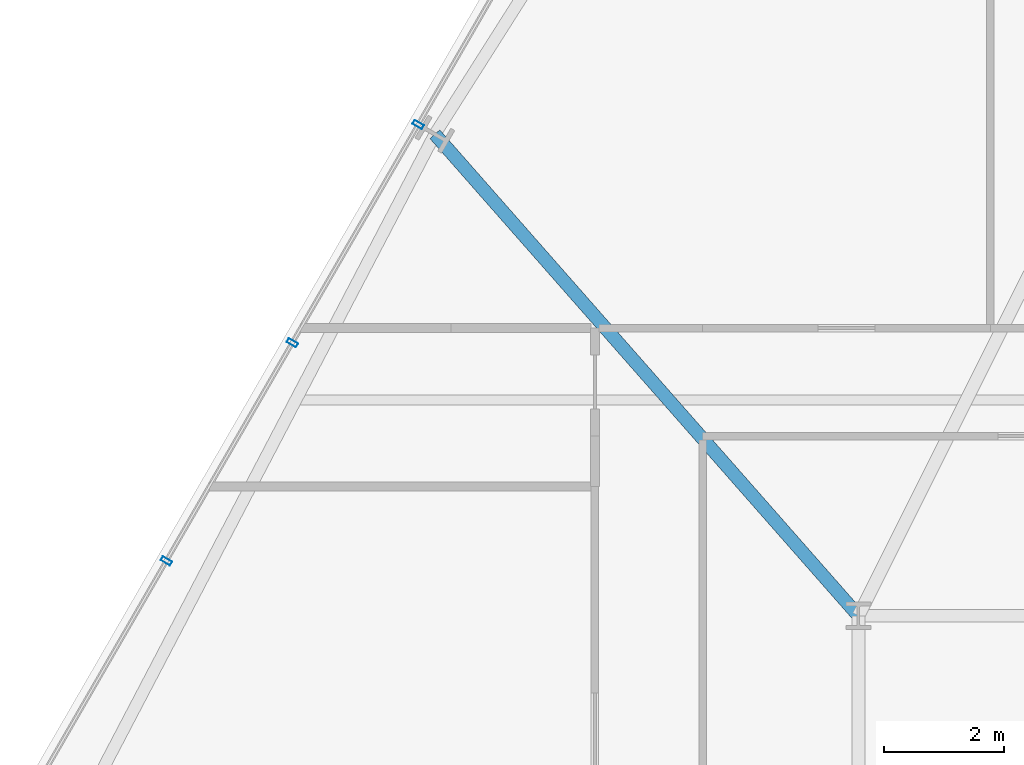
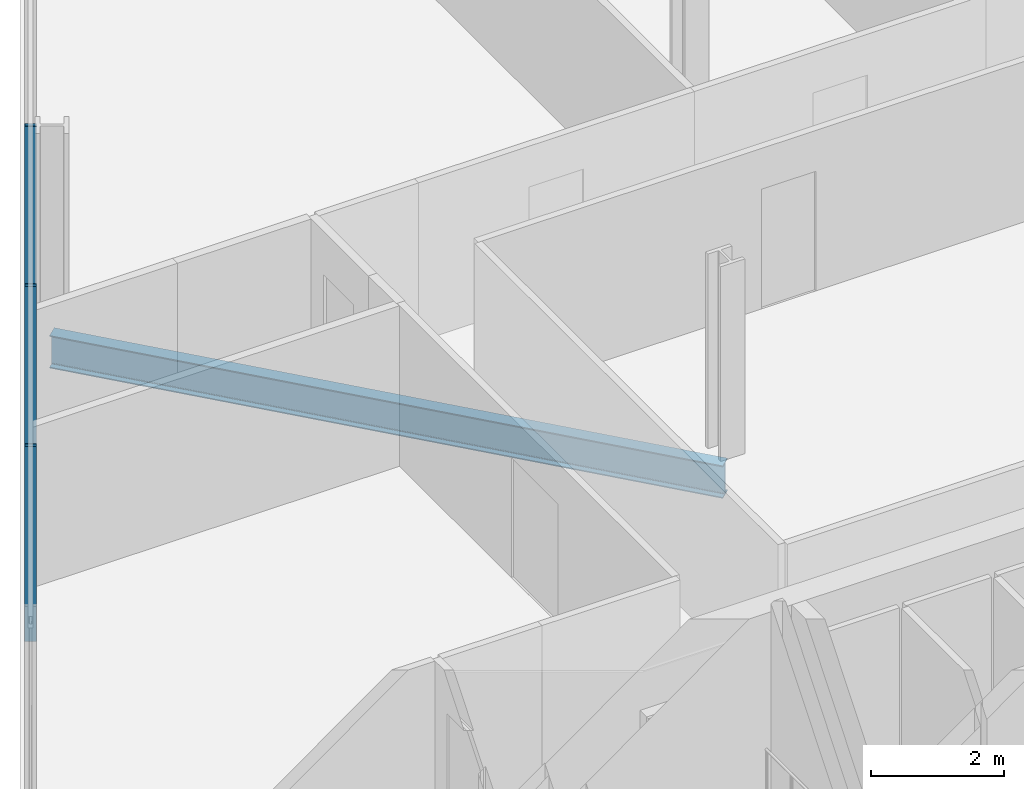
# One storey, part 11 of 31: 3 members, 1 beam, 1 element without a shape of its own.
"""IFC4 building model written with IfcOpenShell, lengths in metres."""

from ifc_helpers import new_model, si_unit, direction, frame, origin, origin_2d, place, context, subcontext, project, spatial, hollow_rectangle, i_section, extrude, material, layer, layer_set, material_profile, profile_set, type_object, element, aggregate, save


model = new_model("IFC4")

# Units and contexts
model_context = context("Model", 3, precision=1e-05, world=origin(), true_north=direction((0.0, 1.0)))
body_context = subcontext(model_context, "Body", "Model", "MODEL_VIEW")
ifc_project = project(units=[si_unit("LENGTHUNIT", "METRE"), si_unit("AREAUNIT", "SQUARE_METRE"), si_unit("VOLUMEUNIT", "CUBIC_METRE"), si_unit("PLANEANGLEUNIT", "RADIAN"), si_unit("MASSUNIT", "GRAM", prefix="KILO")], contexts=[model_context])

# Site, building, storey
site_placement = place(None, origin())
site = spatial("IfcSite", under=ifc_project, at=site_placement, CompositionType="ELEMENT")
building_placement = place(site_placement, origin())
building = spatial("IfcBuilding", under=site, at=building_placement, Name="Ndaravel Arena Tower", CompositionType="ELEMENT")
storey_placement = place(building_placement, frame((0.0, 0.0, 104.39990234375)))
storey = spatial("IfcBuildingStorey", under=building, at=storey_placement, Name="L24", CompositionType="ELEMENT", Elevation=104.39990234375)

# Beam
ifc_material_1 = material(Name="Steel S355", Category="steel")
ifc_material_profile_1 = material_profile(ifc_material_1, i_section(OverallWidth=0.219970703125, OverallDepth=0.60009765625, WebThickness=0.011962890625, FlangeThickness=0.01904296875, FilletRadius=0.02392578125, at=origin_2d()), Name="IPE 600")
ifc_profile_set_1 = profile_set([ifc_material_profile_1], Name="Steel S355")
beam_type = type_object("IfcBeamType", Name="BM-GIRD-IPE600", PredefinedType="BEAM", material=ifc_profile_set_1)
beam_placement = place(storey_placement, frame((27.12890625, 31.23779296875, -0.52001953125), z_axis=(0.660509130582, -0.750818012849, 0.0), x_axis=(0.750818012849, 0.660509130582, 0.0)))
element("IfcBeam", 1, at=beam_placement, inside=storey, type_object=beam_type, Name="L24 Radial Floor Girder FG-19", PredefinedType="BEAM", context=body_context, shape_type="SweptSolid", body=[
    extrude(i_section(OverallWidth=0.219970703125, OverallDepth=0.60009765625, WebThickness=0.011962890625, FlangeThickness=0.01904296875, FilletRadius=0.02392578125, at=origin_2d()), origin(), (0.0, 0.0, 1.0), 10.70556640625),
])

# Curtain wall, members
ifc_material_2 = material(Name="Aluminium", Category="aluminium")
ifc_layer = layer(ifc_material_2, 0.179931640625)
ifc_layer_set = layer_set([ifc_layer], Name="Aluminium")
curtain_wall_type = type_object("IfcCurtainWallType", Name="CW-SYS-03", PredefinedType="NOTDEFINED", material=ifc_layer_set)
curtain_wall_placement = place(storey_placement, origin())
curtain_wall = element("IfcCurtainWall", 2, at=curtain_wall_placement, inside=storey, type_object=curtain_wall_type, Name="L24 Faceted Crystal Curtain Wall CW-L24-E05", PredefinedType="NOTDEFINED")
ifc_material_3 = material(Name="Aluminium", Category="aluminium")
ifc_material_profile_2 = material_profile(ifc_material_3, hollow_rectangle(XDim=0.074951171875, YDim=0.179931640625, WallThickness=0.00390625, at=origin_2d()), Name="CW MULLION 75x180x4")
ifc_profile_set_2 = profile_set([ifc_material_profile_2], Name="Aluminium")
member_type = type_object("IfcMemberType", Name="MEM-CW-MUL180", PredefinedType="MULLION", material=ifc_profile_set_2)
member_1_placement = place(storey_placement, frame((26.851806640625, 31.397705078125, 0.0), z_axis=(0.0, 0.0, 1.0), x_axis=(-0.5, -0.866025403784, 0.0)))
member_1 = element("IfcMember", 3, at=member_1_placement, type_object=member_type, Name="CW-L24-E05 Mullion 04", PredefinedType="MULLION", context=body_context, shape_type="SweptSolid", body=[
    extrude(hollow_rectangle(XDim=0.074951171875, YDim=0.179931640625, WallThickness=0.00390625, at=origin_2d()), origin(), (0.0, 0.0, 1.0), 3.580078125),
])
member_2_placement = place(storey_placement, frame((24.74951171875, 27.756591796875, 0.0), z_axis=(0.0, 0.0, 1.0), x_axis=(-0.5, -0.866025403784, 0.0)))
member_2 = element("IfcMember", 4, at=member_2_placement, type_object=member_type, Name="CW-L24-E05 Mullion 05", PredefinedType="MULLION", context=body_context, shape_type="SweptSolid", body=[
    extrude(hollow_rectangle(XDim=0.074951171875, YDim=0.179931640625, WallThickness=0.00390625, at=origin_2d()), origin(), (0.0, 0.0, 1.0), 3.580078125),
])
member_3_placement = place(storey_placement, frame((22.647216796875, 24.115234375, 0.0), z_axis=(0.0, 0.0, 1.0), x_axis=(-0.5, -0.866025403784, 0.0)))
member_3 = element("IfcMember", 5, at=member_3_placement, type_object=member_type, Name="CW-L24-E05 Mullion 06", PredefinedType="MULLION", context=body_context, shape_type="SweptSolid", body=[
    extrude(hollow_rectangle(XDim=0.074951171875, YDim=0.179931640625, WallThickness=0.00390625, at=origin_2d()), origin(), (0.0, 0.0, 1.0), 3.580078125),
])
aggregate(curtain_wall, [member_1, member_2, member_3])

save(model, "model.ifc")
